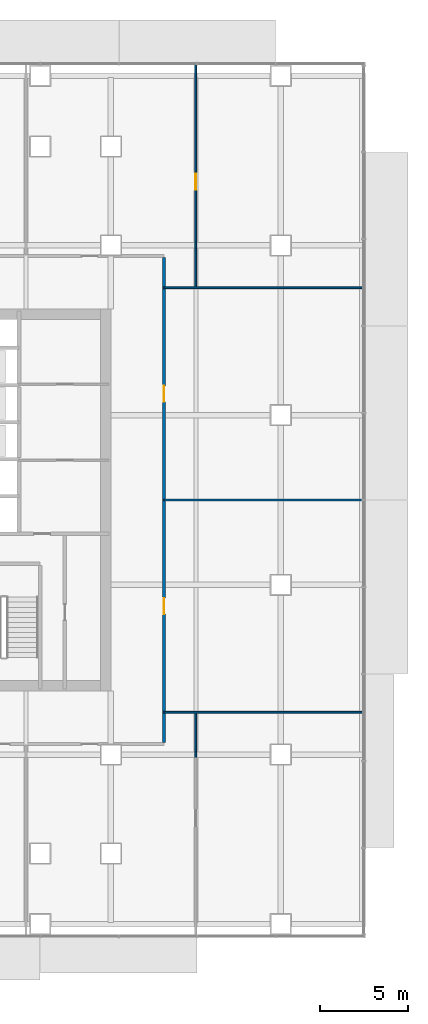
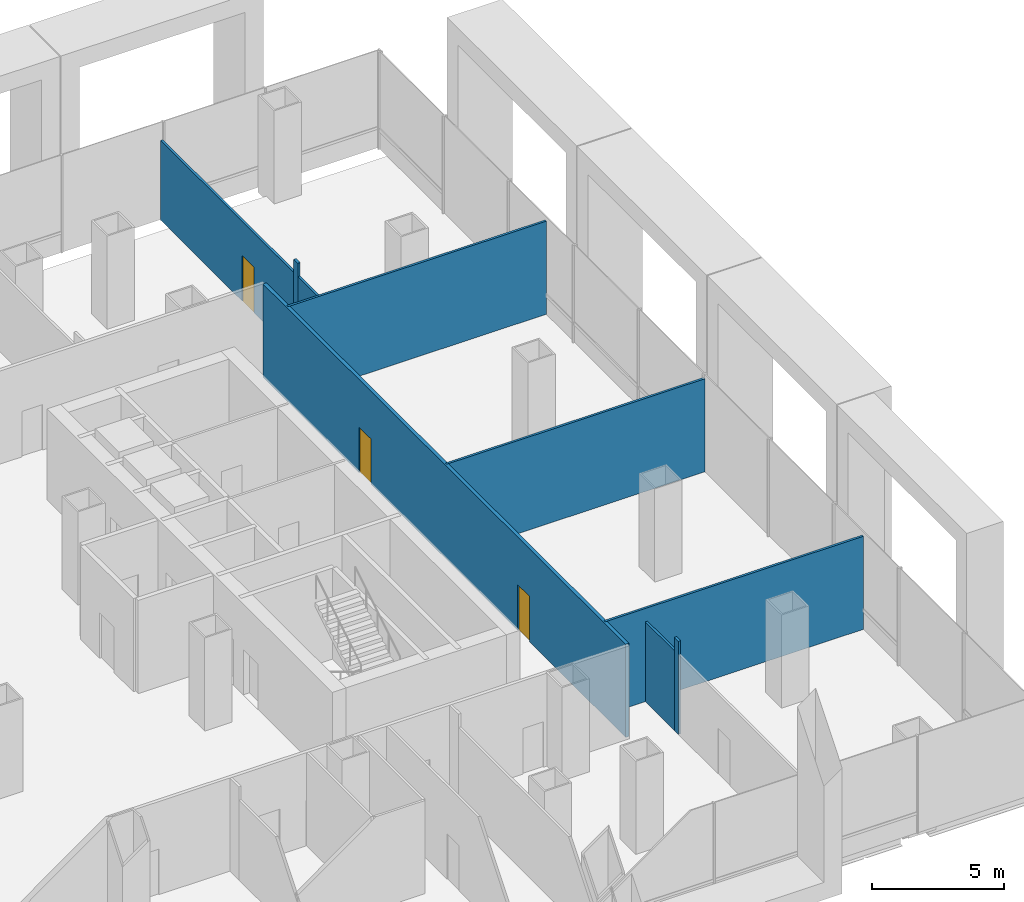
# One storey, part 18 of 23: 9 walls, 3 doors, 3 openings.
"""IFC4 building model written with IfcOpenShell, lengths in metres."""

from ifc_helpers import new_model, si_unit, direction, frame, frame_2d, origin, place, context, subcontext, project, spatial, rectangle, extrude, material, layer, layer_set, type_object, element, fill, save


model = new_model("IFC4")

# Units and contexts
model_context = context("Model", 3, precision=1e-05, world=origin(), true_north=direction((0.0, 1.0)))
body_context = subcontext(model_context, "Body", "Model", "MODEL_VIEW")
ifc_project = project(units=[si_unit("LENGTHUNIT", "METRE"), si_unit("AREAUNIT", "SQUARE_METRE"), si_unit("VOLUMEUNIT", "CUBIC_METRE"), si_unit("PLANEANGLEUNIT", "RADIAN"), si_unit("MASSUNIT", "GRAM", prefix="KILO")], contexts=[model_context])

# Site, building, storey
site_placement = place(None, origin())
site = spatial("IfcSite", under=ifc_project, at=site_placement, CompositionType="ELEMENT")
building_placement = place(site_placement, origin())
building = spatial("IfcBuilding", under=site, at=building_placement, Name="Cobrizo Arcos Hotel Tower", CompositionType="ELEMENT")
storey_placement = place(building_placement, frame((0.0, 0.0, 15.5)))
storey = spatial("IfcBuildingStorey", under=building, at=storey_placement, Name="L02", CompositionType="ELEMENT", Elevation=15.5)

# Wall, openings, doors
ifc_material_1 = material(Name="Gypsum board partition")
ifc_layer_1 = layer(ifc_material_1, 0.14990234375)
ifc_layer_set_1 = layer_set([ifc_layer_1], Name="Corridor wall EI 60 150")
wall_type_1 = type_object("IfcWallType", Name="Corridor wall EI 60 150", PredefinedType="PARTITIONING", material=ifc_layer_set_1)
wall_1_placement = place(storey_placement, frame((27.0, -13.72509765625, 0.0), z_axis=(0.0, 0.0, 1.0), x_axis=(0.0, 1.0, 0.0)))
wall_1 = element("IfcWall", 1, at=wall_1_placement, inside=storey, type_object=wall_type_1, Name="Partition 082", PredefinedType="PARTITIONING", context=body_context, shape_type="SweptSolid", body=[
    extrude(rectangle(XDim=27.4501953125, YDim=0.14990234375, at=frame_2d((13.72509765625, 0.0))), origin(), (0.0, 0.0, 1.0), 4.300048828125),
])
opening_1_placement = place(wall_1_placement, frame((7.27490234375, 0.0, 0.0)))
opening_1 = element("IfcOpeningElement", 2, at=opening_1_placement, cuts=wall_1, Name="Opening RD-21", PredefinedType="OPENING", context=body_context, shape_type="SweptSolid", body=[
    extrude(rectangle(XDim=0.89990234375, YDim=2.10009765625, at=frame_2d((0.449951171875, 1.050048828125))), frame((0.0, 0.0869140625, 0.0), z_axis=(0.0, -1.0, 0.0), x_axis=(1.0, 0.0, 0.0)), (0.0, 0.0, 1.0), 0.173828125),
])
opening_2_placement = place(wall_1_placement, frame((19.27490234375, 0.0, 0.0)))
opening_2 = element("IfcOpeningElement", 3, at=opening_2_placement, cuts=wall_1, Name="Opening RD-22", PredefinedType="OPENING", context=body_context, shape_type="SweptSolid", body=[
    extrude(rectangle(XDim=0.89990234375, YDim=2.10009765625, at=frame_2d((0.449951171875, 1.050048828125))), frame((0.0, 0.0869140625, 0.0), z_axis=(0.0, -1.0, 0.0), x_axis=(1.0, 0.0, 0.0)), (0.0, 0.0, 1.0), 0.173828125),
])
ifc_material_2 = material(Name="Timber door leaf", Category="wood")
door_type = type_object("IfcDoorType", Name="Room door FD30 900x2100", OperationType="SINGLE_SWING_LEFT", PredefinedType="DOOR", material=ifc_material_2)
door_1_placement = place(opening_1_placement, origin())
door_1 = element("IfcDoor", 4, at=door_1_placement, inside=storey, type_object=door_type, Name="Door RD-21", OperationType="SINGLE_SWING_RIGHT", OverallHeight=2.10009765625, OverallWidth=0.89990234375, PredefinedType="DOOR", context=body_context, shape_type="SweptSolid", body=[
    extrude(rectangle(XDim=0.89990234375, YDim=2.10009765625, at=frame_2d((0.449951171875, 1.050048828125))), frame((0.0, 0.02490234375, 0.0), z_axis=(0.0, -1.0, 0.0), x_axis=(1.0, 0.0, 0.0)), (0.0, 0.0, 1.0), 0.050048828125),
])
fill(opening_1, door_1)
door_2_placement = place(opening_2_placement, origin())
door_2 = element("IfcDoor", 5, at=door_2_placement, inside=storey, type_object=door_type, Name="Door RD-22", OperationType="SINGLE_SWING_LEFT", OverallHeight=2.10009765625, OverallWidth=0.89990234375, PredefinedType="DOOR", context=body_context, shape_type="SweptSolid", body=[
    extrude(rectangle(XDim=0.89990234375, YDim=2.10009765625, at=frame_2d((0.449951171875, 1.050048828125))), frame((0.0, 0.02490234375, 0.0), z_axis=(0.0, -1.0, 0.0), x_axis=(1.0, 0.0, 0.0)), (0.0, 0.0, 1.0), 0.050048828125),
])
fill(opening_2, door_2)

# Walls
ifc_layer_2 = layer(ifc_material_1, 0.10009765625)
ifc_layer_set_2 = layer_set([ifc_layer_2], Name="Partition EI 30 100")
wall_type_2 = type_object("IfcWallType", Name="Partition EI 30 100", PredefinedType="PARTITIONING", material=ifc_layer_set_2)
for number, where, z_axis, x_axis, name in (
    (6, (27.0, -12.0, 0.0), (0.0, 0.0, 1.0), (1.0, 0.0, 0.0), "Partition 004"),
    (7, (27.0, 0.0, 0.0), (0.0, 0.0, 1.0), (1.0, 0.0, 0.0), "Partition 012"),
    (8, (27.0, 12.0, 0.0), (0.0, 0.0, 1.0), (1.0, 0.0, 0.0), "Partition 030"),
):
    element("IfcWall", number, at=place(storey_placement, frame(where, z_axis=z_axis, x_axis=x_axis)), inside=storey, type_object=wall_type_2, Name=name, PredefinedType="PARTITIONING", context=body_context, shape_type="SweptSolid", body=[
        extrude(rectangle(XDim=11.280029296875, YDim=0.10009765625, at=frame_2d((5.64013671875, 0.0))), origin(), (0.0, 0.0, 1.0), 4.300048828125),
    ])
wall_2_placement = place(storey_placement, frame((28.800048828125, -14.553955078125, 0.0), z_axis=(0.0, 0.0, 1.0), x_axis=(0.0, 1.0, 0.0)))
element("IfcWall", 9, at=wall_2_placement, inside=storey, type_object=wall_type_2, Name="Partition 084", PredefinedType="PARTITIONING", context=body_context, shape_type="SweptSolid", body=[
    extrude(rectangle(XDim=0.307861328125, YDim=0.10009765625, at=frame_2d((0.15380859375, 0.0))), origin(), (0.0, 0.0, 1.0), 4.300048828125),
])
for number, where, z_axis, x_axis, name in (
    (10, (28.800048828125, -14.24609375, 0.0), (0.0, 0.0, 1.0), (0.0, 1.0, 0.0), "Partition 085"),
    (11, (28.800048828125, 12.050048828125, 0.0), (0.0, 0.0, 1.0), (0.0, 1.0, 0.0), "Partition 086"),
):
    element("IfcWall", number, at=place(storey_placement, frame(where, z_axis=z_axis, x_axis=x_axis)), inside=storey, type_object=wall_type_2, Name=name, PredefinedType="PARTITIONING", context=body_context, shape_type="SweptSolid", body=[
        extrude(rectangle(XDim=2.196044921875, YDim=0.10009765625, at=frame_2d((1.09814453125, 0.0))), origin(), (0.0, 0.0, 1.0), 3.68310546875),
    ])
wall_3_placement = place(storey_placement, frame((28.800048828125, 14.24609375, 0.0), z_axis=(0.0, 0.0, 1.0), x_axis=(0.0, 1.0, 0.0)))
element("IfcWall", 12, at=wall_3_placement, inside=storey, type_object=wall_type_2, Name="Partition 087", PredefinedType="PARTITIONING", context=body_context, shape_type="SweptSolid", body=[
    extrude(rectangle(XDim=0.307861328125, YDim=0.10009765625, at=frame_2d((0.15380859375, 0.0))), origin(), (0.0, 0.0, 1.0), 4.300048828125),
])

# Wall, opening, door
wall_4_placement = place(storey_placement, frame((28.800048828125, 14.5537109375, 0.0), z_axis=(0.0, 0.0, 1.0), x_axis=(0.0, 1.0, 0.0)))
wall_4 = element("IfcWall", 13, at=wall_4_placement, inside=storey, type_object=wall_type_2, Name="Partition 088", PredefinedType="PARTITIONING", context=body_context, shape_type="SweptSolid", body=[
    extrude(rectangle(XDim=10.076171875, YDim=0.10009765625, at=frame_2d((5.0380859375, 0.0))), origin(), (0.0, 0.0, 1.0), 3.68310546875),
])
opening_3_placement = place(wall_4_placement, frame((2.99609375, 0.0, 0.0)))
opening_3 = element("IfcOpeningElement", 14, at=opening_3_placement, cuts=wall_4, Name="Opening RD-32", PredefinedType="OPENING", context=body_context, shape_type="SweptSolid", body=[
    extrude(rectangle(XDim=0.89990234375, YDim=2.10009765625, at=frame_2d((0.449951171875, 1.050048828125))), frame((0.0, 0.06201171875, 0.0), z_axis=(0.0, -1.0, 0.0), x_axis=(1.0, 0.0, 0.0)), (0.0, 0.0, 1.0), 0.1240234375),
])
door_3_placement = place(opening_3_placement, origin())
door_3 = element("IfcDoor", 15, at=door_3_placement, inside=storey, type_object=door_type, Name="Door RD-32", OperationType="SINGLE_SWING_LEFT", OverallHeight=2.10009765625, OverallWidth=0.89990234375, PredefinedType="DOOR", context=body_context, shape_type="SweptSolid", body=[
    extrude(rectangle(XDim=0.89990234375, YDim=2.10009765625, at=frame_2d((0.449951171875, 1.050048828125))), frame((0.0, 0.02490234375, 0.0), z_axis=(0.0, -1.0, 0.0), x_axis=(1.0, 0.0, 0.0)), (0.0, 0.0, 1.0), 0.050048828125),
])
fill(opening_3, door_3)

save(model, "model.ifc")
